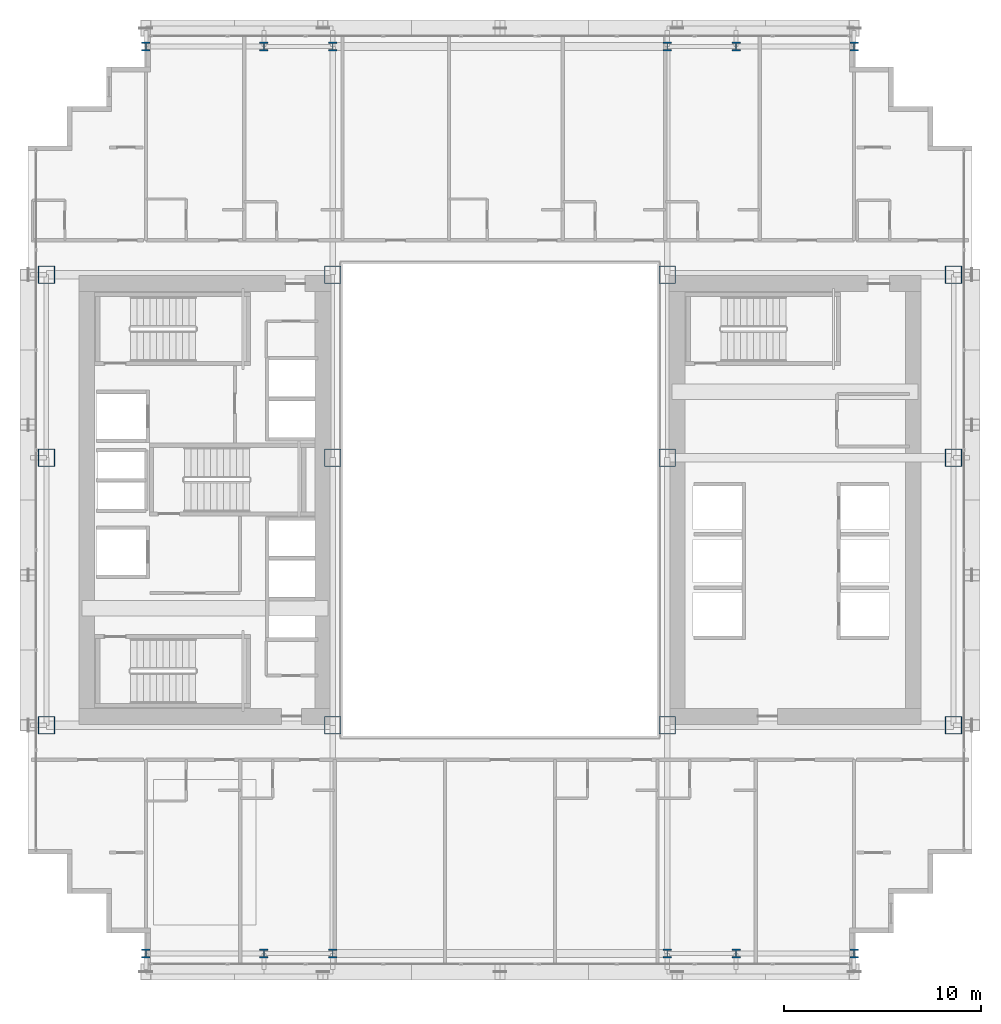
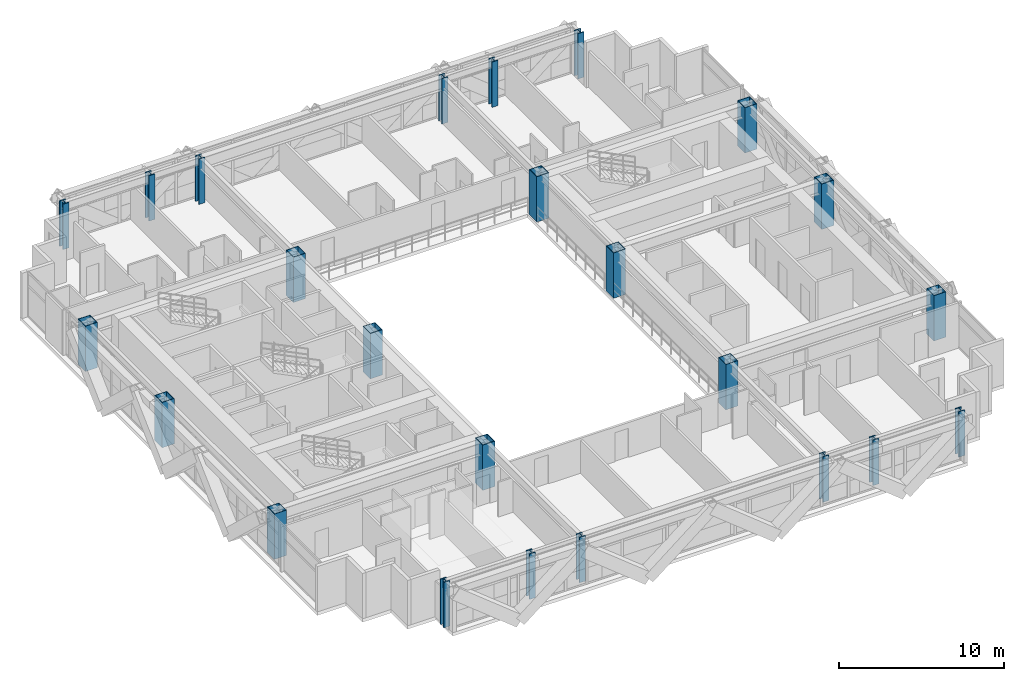
# One storey, part 1 of 38: 24 columns.
"""IFC4 building model written with IfcOpenShell, lengths in metres."""

from ifc_helpers import new_model, si_unit, direction, frame, origin, origin_2d, place, context, subcontext, project, spatial, hollow_rectangle, i_section, extrude, source, transform, mapped, material, material_profile, profile_set, type_object, element, save


model = new_model("IFC4")

# Units and contexts
model_context = context("Model", 3, precision=1e-05, world=origin(), true_north=direction((0.0, 1.0)))
body_context = subcontext(model_context, "Body", "Model", "MODEL_VIEW")
ifc_project = project(units=[si_unit("LENGTHUNIT", "METRE"), si_unit("AREAUNIT", "SQUARE_METRE"), si_unit("VOLUMEUNIT", "CUBIC_METRE"), si_unit("PLANEANGLEUNIT", "RADIAN"), si_unit("MASSUNIT", "GRAM", prefix="KILO")], contexts=[model_context])

# Site, building, storey
site_placement = place(None, origin())
site = spatial("IfcSite", under=ifc_project, at=site_placement, CompositionType="ELEMENT")
building_placement = place(site_placement, origin())
building = spatial("IfcBuilding", under=site, at=building_placement, Name="Ocotamira Hotel", CompositionType="ELEMENT")
storey_placement = place(building_placement, frame((0.0, 0.0, 74.39990234375)))
storey = spatial("IfcBuildingStorey", under=building, at=storey_placement, Name="L18", CompositionType="ELEMENT", Elevation=74.39990234375)

# Columns
ifc_material = material(Name="Steel ASTM A913 Grade 65", Category="steel")
ifc_material_profile_1 = material_profile(ifc_material, hollow_rectangle(XDim=0.85009765625, YDim=0.89990234375, WallThickness=0.0400390625, at=origin_2d()), Name="BOX900X850X40")
ifc_profile_set_1 = profile_set([ifc_material_profile_1], Name="Steel ASTM A913 Grade 65")
column_type_1 = type_object("IfcColumnType", Name="COL-BOX900", PredefinedType="COLUMN", material=ifc_profile_set_1)
shared_shape_1 = source(origin(), body_context, "Body", "SweptSolid", [
    extrude(hollow_rectangle(XDim=0.85009765625, YDim=0.89990234375, WallThickness=0.0400390625, at=origin_2d()), origin(), (0.0, 0.0, 1.0), 3.35009765625),
])
for number, where, z_axis, x_axis, name in (
    (1, (8.949951171875, 14.550048828125, 0.0), (0.0, 0.0, 1.0), (1.0, 0.0, 0.0), "L18 Column TW8_14"),
    (2, (23.5, 14.550048828125, 0.0), (0.0, 0.0, 1.0), (1.0, 0.0, 0.0), "L18 Column TW23_14"),
    (3, (40.5, 14.550048828125, 0.0), (0.0, 0.0, 1.0), (1.0, 0.0, 0.0), "L18 Column TE40_14"),
    (4, (55.050048828125, 14.550048828125, 0.0), (0.0, 0.0, 1.0), (1.0, 0.0, 0.0), "L18 Column TE55_14"),
    (5, (8.949951171875, 28.14990234375, 0.0), (0.0, 0.0, 1.0), (1.0, 0.0, 0.0), "L18 Column TW8_28"),
    (6, (23.5, 28.14990234375, 0.0), (0.0, 0.0, 1.0), (1.0, 0.0, 0.0), "L18 Column TW23_28"),
    (7, (40.5, 28.14990234375, 0.0), (0.0, 0.0, 1.0), (1.0, 0.0, 0.0), "L18 Column TE40_28"),
    (8, (55.050048828125, 28.14990234375, 0.0), (0.0, 0.0, 1.0), (1.0, 0.0, 0.0), "L18 Column TE55_28"),
    (9, (8.949951171875, 37.449951171875, 0.0), (0.0, 0.0, 1.0), (1.0, 0.0, 0.0), "L18 Column TW8_37"),
    (10, (23.5, 37.449951171875, 0.0), (0.0, 0.0, 1.0), (1.0, 0.0, 0.0), "L18 Column TW23_37"),
    (11, (40.5, 37.449951171875, 0.0), (0.0, 0.0, 1.0), (1.0, 0.0, 0.0), "L18 Column TE40_37"),
    (12, (55.050048828125, 37.449951171875, 0.0), (0.0, 0.0, 1.0), (1.0, 0.0, 0.0), "L18 Column TE55_37"),
):
    element("IfcColumn", number, at=place(storey_placement, frame(where, z_axis=z_axis, x_axis=x_axis)), inside=storey, type_object=column_type_1, Name=name, PredefinedType="COLUMN", context=body_context, shape_type="MappedRepresentation", body=[
        mapped(shared_shape_1, transform((0.0, 0.0, 0.0), scale=1.0)),
    ])
ifc_material_profile_2 = material_profile(ifc_material, i_section(OverallWidth=0.422119140625, OverallDepth=0.465087890625, WebThickness=0.044921875, FlangeThickness=0.072509765625, FilletRadius=0.02490234375, at=origin_2d()), Name="W14X398")
ifc_profile_set_2 = profile_set([ifc_material_profile_2], Name="Steel ASTM A913 Grade 65")
column_type_2 = type_object("IfcColumnType", Name="COL-W14X398", PredefinedType="COLUMN", material=ifc_profile_set_2)
shared_shape_2 = source(origin(), body_context, "Body", "SweptSolid", [
    extrude(i_section(OverallWidth=0.422119140625, OverallDepth=0.465087890625, WebThickness=0.044921875, FlangeThickness=0.072509765625, FilletRadius=0.02490234375, at=origin_2d()), origin(), (0.0, 0.0, 1.0), 3.35009765625),
])
for number, where, z_axis, x_axis, name in (
    (13, (14.0, 2.949951171875, 0.0), (0.0, 0.0, 1.0), (1.0, 0.0, 0.0), "L18 Column NSP1_14"),
    (14, (20.0, 2.949951171875, 0.0), (0.0, 0.0, 1.0), (1.0, 0.0, 0.0), "L18 Column NSP1_20"),
    (15, (23.5, 2.949951171875, 0.0), (0.0, 0.0, 1.0), (1.0, 0.0, 0.0), "L18 Column NSP1_23"),
    (16, (40.5, 2.949951171875, 0.0), (0.0, 0.0, 1.0), (1.0, 0.0, 0.0), "L18 Column NSP1_40"),
    (17, (44.0, 2.949951171875, 0.0), (0.0, 0.0, 1.0), (1.0, 0.0, 0.0), "L18 Column NSP1_44"),
    (18, (50.0, 2.949951171875, 0.0), (0.0, 0.0, 1.0), (1.0, 0.0, 0.0), "L18 Column NSP1_50"),
    (19, (14.0, 49.050048828125, 0.0), (0.0, 0.0, 1.0), (1.0, 0.0, 0.0), "L18 Column NSP2_14"),
    (20, (20.0, 49.050048828125, 0.0), (0.0, 0.0, 1.0), (1.0, 0.0, 0.0), "L18 Column NSP2_20"),
    (21, (23.5, 49.050048828125, 0.0), (0.0, 0.0, 1.0), (1.0, 0.0, 0.0), "L18 Column NSP2_23"),
    (22, (40.5, 49.050048828125, 0.0), (0.0, 0.0, 1.0), (1.0, 0.0, 0.0), "L18 Column NSP2_40"),
    (23, (44.0, 49.050048828125, 0.0), (0.0, 0.0, 1.0), (1.0, 0.0, 0.0), "L18 Column NSP2_44"),
    (24, (50.0, 49.050048828125, 0.0), (0.0, 0.0, 1.0), (1.0, 0.0, 0.0), "L18 Column NSP2_50"),
):
    element("IfcColumn", number, at=place(storey_placement, frame(where, z_axis=z_axis, x_axis=x_axis)), inside=storey, type_object=column_type_2, Name=name, PredefinedType="COLUMN", context=body_context, shape_type="MappedRepresentation", body=[
        mapped(shared_shape_2, transform((0.0, 0.0, 0.0), scale=1.0)),
    ])

save(model, "model.ifc")
